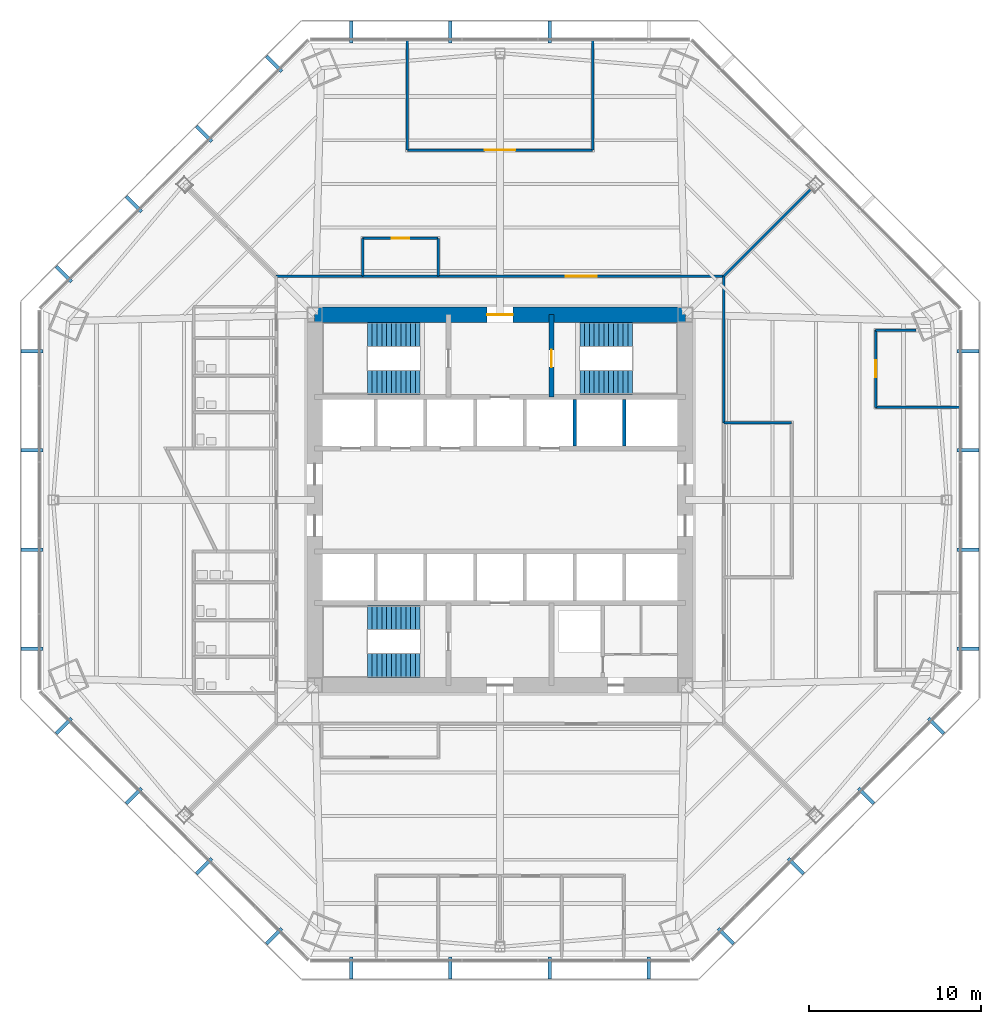
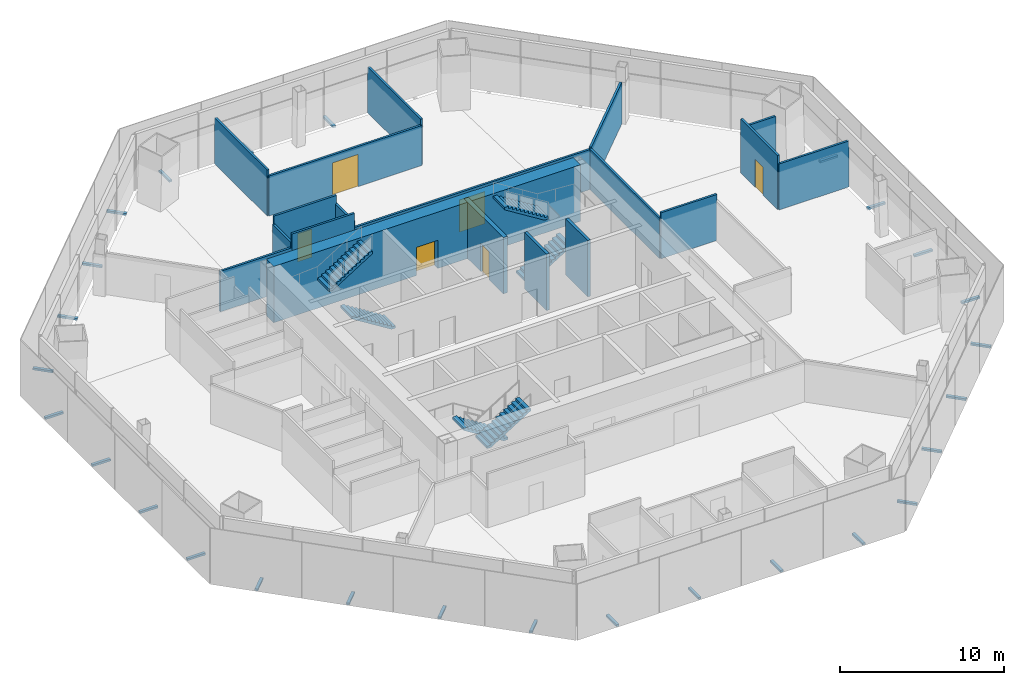
# One storey, part 10 of 14: 27 discrete accessories, 19 walls, 6 doors, 6 stair flights, 6 openings, 3 elements without a shape of their own.
"""IFC4 building model written with IfcOpenShell, lengths in metres."""

import ifcopenshell
import ifcopenshell.guid

model = None  # the IFC model being written
_history = None  # IfcOwnerHistory: only IFC2X3 demands one
_inside = {}  # id of a spatial element -> (the spatial element, [elements in it])
_under = {}  # id of a project, library or spatial element -> (it, [spatial elements below it])
_declared = {}  # id of a project -> (the project, [libraries it declares])
_typed = {}  # id of a type object -> (the type object, [elements of that type])
_made_of = {}  # id of a material, layer set ... -> (it, [elements and type objects made of it])


def new_model(schema):
    """Start an empty IFC model of exactly this schema.

    Asked for "IFC4X3", IfcOpenShell would pick the latest addendum, in which some entities
    have other attributes; the version numbers below select the first issue.
    IFC2X3 requires an IfcOwnerHistory on every rooted entity: one is made here for all.
    """
    global model, _history
    if schema == "IFC4X3":
        model = ifcopenshell.file(schema_version=(4, 3, 0, 0))
    else:
        model = ifcopenshell.file(schema=schema)
    _inside.clear()
    _under.clear()
    _declared.clear()
    _typed.clear()
    _made_of.clear()
    _history = None
    if model.schema == "IFC2X3":
        org = make("IfcOrganization", Name="unknown")
        user = make(
            "IfcPersonAndOrganization",
            ThePerson=make("IfcPerson", FamilyName="unknown"),
            TheOrganization=org,
        )
        app = make(
            "IfcApplication",
            ApplicationDeveloper=org,
            Version="unknown",
            ApplicationFullName="unknown",
            ApplicationIdentifier="unknown",
        )
        _history = make(
            "IfcOwnerHistory",
            OwningUser=user,
            OwningApplication=app,
            ChangeAction="ADDED",
            CreationDate=0,
        )
    return model


def make(cls, **values):
    """One entity of the class cls with the attributes given. An attribute that is None is left unset."""
    return model.create_entity(
        cls, **{name: value for name, value in values.items() if value is not None}
    )


def rooted(cls, **values):
    """An entity with a GlobalId (a new one), such as an element, a storey or a relation."""
    return make(cls, GlobalId=ifcopenshell.guid.new(), OwnerHistory=_history, **values)


def si_unit(unit_type, name, prefix=None):
    """IfcSIUnit, for example si_unit("LENGTHUNIT", "METRE", prefix="MILLI")."""
    return make("IfcSIUnit", UnitType=unit_type, Prefix=prefix, Name=name)


def assignment(units):
    """IfcUnitAssignment: the units of a project."""
    return None if units is None else make("IfcUnitAssignment", Units=units)


def point(xyz):
    """IfcCartesianPoint."""
    return None if xyz is None else make("IfcCartesianPoint", Coordinates=xyz)


def direction(xyz):
    """IfcDirection."""
    return None if xyz is None else make("IfcDirection", DirectionRatios=xyz)


def frame(location, z_axis=None, x_axis=None):
    """IfcAxis2Placement3D, a coordinate frame: its origin and axes. An axis left out is left unset."""
    return make(
        "IfcAxis2Placement3D",
        Location=point(location),
        Axis=direction(z_axis),
        RefDirection=direction(x_axis),
    )


def frame_2d(location, x_axis=None):
    """IfcAxis2Placement2D, a coordinate frame in the plane: its origin and x axis."""
    return make(
        "IfcAxis2Placement2D", Location=point(location), RefDirection=direction(x_axis)
    )


def origin():
    """The frame at (0, 0, 0) with its axes left unset."""
    return frame((0.0, 0.0, 0.0))


def origin_2d():
    """The frame at (0, 0) in the plane with its x axis left unset."""
    return frame_2d((0.0, 0.0))


def place(relative_to, where):
    """IfcLocalPlacement: puts the frame where relative to a parent placement (None: the world)."""
    return make(
        "IfcLocalPlacement", PlacementRelTo=relative_to, RelativePlacement=where
    )


def context(
    kind, dimensions, precision=None, world=None, true_north=None, identifier=None
):
    """IfcGeometricRepresentationContext, for example the 3D "Model" context."""
    return make(
        "IfcGeometricRepresentationContext",
        ContextIdentifier=identifier,
        ContextType=kind,
        CoordinateSpaceDimension=dimensions,
        Precision=precision,
        WorldCoordinateSystem=world,
        TrueNorth=true_north,
    )


def subcontext(parent, identifier, kind, view, scale=None):
    """IfcGeometricRepresentationSubContext, for example "Body" below "Model"."""
    return make(
        "IfcGeometricRepresentationSubContext",
        ContextIdentifier=identifier,
        ContextType=kind,
        ParentContext=parent,
        TargetScale=scale,
        TargetView=view,
    )


def project(units=None, contexts=None):
    """IfcProject with its units and contexts."""
    return rooted(
        "IfcProject",
        Name="project",
        RepresentationContexts=contexts,
        UnitsInContext=assignment(units),
    )


def spatial(cls, under=None, at=None, **own):
    """A site, building, storey or space (cls), placed at a placement, below another one or the project."""
    s = rooted(cls, ObjectPlacement=at, **own)
    if under is not None:
        _under.setdefault(under.id(), (under, []))[1].append(s)
    return s


def polyline(points):
    """IfcPolyline through the points."""
    return make("IfcPolyline", Points=[point(p) for p in points])


def profile(cls, at=None, kind="AREA", **sizes):
    """A parametric profile (cls). Its sizes go by their IFC names, for example OverallWidth=200.0."""
    return make(cls, ProfileType=kind, Position=at, **sizes)


def rectangle(**sizes):
    """IfcRectangleProfileDef."""
    return profile("IfcRectangleProfileDef", **sizes)


def outline(outer, holes=None, kind="AREA"):
    """IfcArbitraryClosedProfileDef: a profile drawn as a closed curve; with holes, ...WithVoids."""
    if holes is None:
        return make("IfcArbitraryClosedProfileDef", ProfileType=kind, OuterCurve=outer)
    return make(
        "IfcArbitraryProfileDefWithVoids",
        ProfileType=kind,
        OuterCurve=outer,
        InnerCurves=holes,
    )


def extrude(swept, where, along, depth):
    """IfcExtrudedAreaSolid: the profile swept, set in the frame where, extruded along a direction by depth."""
    return make(
        "IfcExtrudedAreaSolid",
        SweptArea=swept,
        Position=where,
        ExtrudedDirection=direction(along),
        Depth=depth,
    )


def shape(context_of_items, identifier, shape_type, items):
    """IfcShapeRepresentation: the items that make up one representation, for example the "Body"."""
    return make(
        "IfcShapeRepresentation",
        ContextOfItems=context_of_items,
        RepresentationIdentifier=identifier,
        RepresentationType=shape_type,
        Items=items,
    )


def source(mapping_origin, context_of_items, identifier, shape_type, items):
    """IfcRepresentationMap: a shape defined once, which mapped items show again and again."""
    return make(
        "IfcRepresentationMap",
        MappingOrigin=mapping_origin,
        MappedRepresentation=shape(context_of_items, identifier, shape_type, items),
    )


def transform(
    local_origin,
    x_axis=None,
    y_axis=None,
    z_axis=None,
    scale=None,
    scale2=None,
    scale3=None,
    uniform=True,
):
    """IfcCartesianTransformationOperator3D, or its non-uniform kind. x_axis, y_axis, z_axis: its Axis1, 2, 3."""
    if uniform:
        return make(
            "IfcCartesianTransformationOperator3D",
            Axis1=direction(x_axis),
            Axis2=direction(y_axis),
            LocalOrigin=point(local_origin),
            Scale=scale,
            Axis3=direction(z_axis),
        )
    return make(
        "IfcCartesianTransformationOperator3DnonUniform",
        Axis1=direction(x_axis),
        Axis2=direction(y_axis),
        LocalOrigin=point(local_origin),
        Scale=scale,
        Axis3=direction(z_axis),
        Scale2=scale2,
        Scale3=scale3,
    )


def mapped(mapping_source, mapping_target):
    """IfcMappedItem: shows the shape of a source again, moved by a transform."""
    return make(
        "IfcMappedItem", MappingSource=mapping_source, MappingTarget=mapping_target
    )


def material(Name=None, Category=None):
    """IfcMaterial."""
    return make("IfcMaterial", Name=Name, Category=Category)


def layer(
    of_material, thickness, ventilated=None, Name=None, Category=None, Priority=None
):
    """IfcMaterialLayer: one layer of a wall or slab, of a material (None: an air gap)."""
    return make(
        "IfcMaterialLayer",
        Material=of_material,
        LayerThickness=thickness,
        IsVentilated=ventilated,
        Name=Name,
        Category=Category,
        Priority=Priority,
    )


def layer_set(layers, Name=None):
    """IfcMaterialLayerSet."""
    return make("IfcMaterialLayerSet", MaterialLayers=layers, LayerSetName=Name)


def made_of(thing, what):
    """Note that an element or type object is made of a material, layer set ...; save() writes the relation."""
    if what is not None:
        _made_of.setdefault(what.id(), (what, []))[1].append(thing)
    return thing


def type_object(cls, material=None, **own):
    """A type object (cls), such as IfcWallType, which elements share."""
    return made_of(rooted(cls, **own), material)


def type_shapes(of_type, sources):
    """Give a type object the sources (RepresentationMaps) that its elements show as mapped items."""
    of_type.RepresentationMaps = sources


def element(
    cls,
    number,
    at=None,
    inside=None,
    cuts=None,
    type_object=None,
    material=None,
    context=None,
    identifier="Body",
    shape_type=None,
    held_by="IfcProductDefinitionShape",
    body=None,
    shapes=None,
    **own,
):
    """One element of the class cls, such as IfcWall. Its Tag is "e" and its number.

    at: its placement. inside: the storey or other place that contains it. cuts: it is an
    opening in that element (IfcRelVoidsElement). A single representation is given by context,
    identifier, shape_type and body (its items); several are given by shapes. held_by: the class
    of the entity that holds the representations. save() writes the other relations.
    """
    e = rooted(cls, Tag="e%d" % number, ObjectPlacement=at, **own)
    if body is not None:
        shapes = [shape(context, identifier, shape_type, body)]
    if shapes is not None:
        e.Representation = make(held_by, Representations=shapes)
    if inside is not None:
        _inside.setdefault(inside.id(), (inside, []))[1].append(e)
    if cuts is not None:
        rooted(
            "IfcRelVoidsElement", RelatingBuildingElement=cuts, RelatedOpeningElement=e
        )
    if type_object is not None:
        _typed.setdefault(type_object.id(), (type_object, []))[1].append(e)
    return made_of(e, material)


def fill(opening, filler):
    """IfcRelFillsElement: the door or window that sits in an opening."""
    return rooted(
        "IfcRelFillsElement",
        RelatingOpeningElement=opening,
        RelatedBuildingElement=filler,
    )


def aggregate(whole, parts):
    """IfcRelAggregates: a whole, such as a stair, and the parts it consists of."""
    return rooted("IfcRelAggregates", RelatingObject=whole, RelatedObjects=parts)


def save(model, path):
    """Write the relations noted so far, then the file.

    IfcRelAggregates (storeys below a building ...), IfcRelContainedInSpatialStructure (elements
    in a storey), IfcRelDefinesByType, IfcRelAssociatesMaterial and IfcRelDeclares: one each for
    every whole, place, type object, material and project.
    """
    for whole, parts in _under.values():
        aggregate(whole, parts)
    for where, things in _inside.values():
        rooted(
            "IfcRelContainedInSpatialStructure",
            RelatedElements=things,
            RelatingStructure=where,
        )
    for kind, things in _typed.values():
        rooted("IfcRelDefinesByType", RelatedObjects=things, RelatingType=kind)
    for what, things in _made_of.values():
        rooted("IfcRelAssociatesMaterial", RelatedObjects=things, RelatingMaterial=what)
    for by, libraries in _declared.values():
        rooted("IfcRelDeclares", RelatingContext=by, RelatedDefinitions=libraries)
    model.write(path)


model = new_model("IFC4")

# Units and contexts
model_context = context("Model", 3, precision=1e-05, world=origin(), true_north=direction((0.0, 1.0)))
body_context = subcontext(model_context, "Body", "Model", "MODEL_VIEW")
ifc_project = project(units=[si_unit("LENGTHUNIT", "METRE"), si_unit("AREAUNIT", "SQUARE_METRE"), si_unit("VOLUMEUNIT", "CUBIC_METRE"), si_unit("PLANEANGLEUNIT", "RADIAN"), si_unit("MASSUNIT", "GRAM", prefix="KILO")], contexts=[model_context])

# Site, building, storey
site_placement = place(None, origin())
site = spatial("IfcSite", under=ifc_project, at=site_placement, CompositionType="ELEMENT")
building_placement = place(site_placement, origin())
building = spatial("IfcBuilding", under=site, at=building_placement, Name="Mashrafa Tower", CompositionType="ELEMENT")
storey_placement = place(building_placement, frame((0.0, 0.0, 41.39990234375)))
storey = spatial("IfcBuildingStorey", under=building, at=storey_placement, Name="L08", CompositionType="ELEMENT", Elevation=41.39990234375)

# Wall, opening, door
ifc_material_1 = material(Name="Concrete C60/75", Category="concrete")
ifc_layer_1 = layer(ifc_material_1, 0.300048828125)
ifc_layer_set_1 = layer_set([ifc_layer_1], Name="Core wall 300 C60/75")
wall_type_1 = type_object("IfcWallType", Name="Core wall 300 C60/75", PredefinedType="SOLIDWALL", material=ifc_layer_set_1)
wall_1_placement = place(storey_placement, frame((3.0, 6.0, 0.0), z_axis=(0.0, 0.0, 1.0), x_axis=(0.0, 1.0, 0.0)))
wall_1 = element("IfcWall", 1, at=wall_1_placement, inside=storey, type_object=wall_type_1, Name="Core wall CX-NE L08", PredefinedType="SOLIDWALL", context=body_context, shape_type="SweptSolid", body=[
    extrude(rectangle(XDim=4.800048828125, YDim=0.300048828125, at=frame_2d((2.39990234375, 0.0))), origin(), (0.0, 0.0, 1.0), 4.2001953125),
])
opening_1_placement = place(wall_1_placement, frame((1.75, 0.0, 0.0)))
opening_1 = element("IfcOpeningElement", 2, at=opening_1_placement, cuts=wall_1, Name="Opening 08.031", PredefinedType="OPENING", context=body_context, shape_type="SweptSolid", body=[
    extrude(rectangle(XDim=1.0, YDim=2.10009765625, at=frame_2d((0.5, 1.050048828125))), frame((0.0, 0.159912109375, 0.0), z_axis=(0.0, -1.0, 0.0), x_axis=(1.0, 0.0, 0.0)), (0.0, 0.0, 1.0), 0.320068359375),
])
ifc_material_2 = material(Name="Steel door", Category="steel")
door_type_1 = type_object("IfcDoorType", Name="Stair door 1000 x 2100 90 min", OperationType="USERDEFINED", PredefinedType="DOOR", material=ifc_material_2)
door_1_placement = place(opening_1_placement, frame((1.0, 0.0, 0.0), z_axis=(0.0, 0.0, 1.0), x_axis=(-1.0, 0.0, 0.0)))
door_1 = element("IfcDoor", 3, at=door_1_placement, inside=storey, type_object=door_type_1, Name="Stair S2 door L08", OperationType="SINGLE_SWING_RIGHT", OverallHeight=2.10009765625, OverallWidth=1.0, PredefinedType="DOOR", context=body_context, shape_type="SweptSolid", body=[
    extrude(rectangle(XDim=1.0, YDim=2.10009765625, at=frame_2d((0.5, 1.050048828125))), frame((0.0, 0.02490234375, 0.0), z_axis=(0.0, -1.0, 0.0), x_axis=(1.0, 0.0, 0.0)), (0.0, 0.0, 1.0), 0.050048828125),
])
fill(opening_1, door_1)

ifc_material_3 = material(Name="Concrete C60/75", Category="concrete")
ifc_layer_2 = layer(ifc_material_3, 0.89990234375)
ifc_layer_set_2 = layer_set([ifc_layer_2], Name="Core wall 900 C60/75")
wall_type_2 = type_object("IfcWallType", Name="Core wall 900 C60/75", PredefinedType="SOLIDWALL", material=ifc_layer_set_2)
wall_2_placement = place(storey_placement, frame((10.800048828125, 10.800048828125, 0.0), z_axis=(0.0, 0.0, 1.0), x_axis=(-1.0, 0.0, 0.0)))
wall_2 = element("IfcWall", 4, at=wall_2_placement, inside=storey, type_object=wall_type_2, Name="Core wall CW-N L08", PredefinedType="SOLIDWALL", context=body_context, shape_type="SweptSolid", body=[
    extrude(rectangle(XDim=21.60009765625, YDim=0.89990234375, at=frame_2d((10.800048828125, 0.0))), origin(), (0.0, 0.0, 1.0), 4.2001953125),
])
opening_2_placement = place(wall_2_placement, frame((10.050048828125, 0.0, 0.0)))
opening_2 = element("IfcOpeningElement", 5, at=opening_2_placement, cuts=wall_2, Name="Opening 08.028", PredefinedType="OPENING", context=body_context, shape_type="SweptSolid", body=[
    extrude(rectangle(XDim=1.5, YDim=2.10009765625, at=frame_2d((0.75, 1.050048828125))), frame((0.0, 0.4599609375, 0.0), z_axis=(0.0, -1.0, 0.0), x_axis=(1.0, 0.0, 0.0)), (0.0, 0.0, 1.0), 0.919921875),
])
ifc_material_4 = material(Name="Steel door", Category="steel")
door_type_2 = type_object("IfcDoorType", Name="Lobby door pair 1500 x 2100 90 min", OperationType="DOUBLE_DOOR_SINGLE_SWING", PredefinedType="DOOR", material=ifc_material_4)
door_2_placement = place(opening_2_placement, origin())
door_2 = element("IfcDoor", 6, at=door_2_placement, inside=storey, type_object=door_type_2, Name="Fire-fighting lobby F1 door L08", OperationType="DOUBLE_DOOR_SINGLE_SWING", OverallHeight=2.10009765625, OverallWidth=1.5, PredefinedType="DOOR", context=body_context, shape_type="SweptSolid", body=[
    extrude(rectangle(XDim=1.5, YDim=2.10009765625, at=frame_2d((0.75, 1.050048828125))), frame((0.0, 0.02490234375, 0.0), z_axis=(0.0, -1.0, 0.0), x_axis=(1.0, 0.0, 0.0)), (0.0, 0.0, 1.0), 0.050048828125),
])
fill(opening_2, door_2)

# Walls
ifc_material_5 = material(Name="Gypsum board on steel studs", Category="steel")
ifc_layer_3 = layer(ifc_material_5, 0.14990234375)
ifc_layer_set_3 = layer_set([ifc_layer_3], Name="Corridor partition 150 1 hr")
wall_type_3 = type_object("IfcWallType", Name="Corridor partition 150 1 hr", PredefinedType="PARTITIONING", material=ifc_layer_set_3)
wall_3_placement = place(storey_placement, frame((-3.59912109375, 13.050048828125, 0.0), z_axis=(0.0, 0.0, 1.0), x_axis=(-1.0, 0.0, 0.0)))
element("IfcWall", 7, at=wall_3_placement, inside=storey, type_object=wall_type_3, Name="Corridor wall L08-011", PredefinedType="PARTITIONING", context=body_context, shape_type="SweptSolid", body=[
    extrude(rectangle(XDim=4.40185546875, YDim=0.14990234375, at=frame_2d((2.200927734375, 0.0))), origin(), (0.0, 0.0, 1.0), 4.03515625),
])
wall_4_placement = place(storey_placement, frame((-7.9990234375, 13.050048828125, 0.0), z_axis=(0.0, 0.0, 1.0), x_axis=(-1.0, 0.0, 0.0)))
element("IfcWall", 8, at=wall_4_placement, inside=storey, type_object=wall_type_3, Name="Corridor wall L08-013", PredefinedType="PARTITIONING", context=body_context, shape_type="SweptSolid", body=[
    extrude(rectangle(XDim=5.051025390625, YDim=0.14990234375, at=frame_2d((2.525390625, 0.0))), origin(), (0.0, 0.0, 1.0), 3.01416015625),
])

# Wall, opening, door
wall_5_placement = place(storey_placement, frame((13.050048828125, 13.050048828125, 0.0), z_axis=(0.0, 0.0, 1.0), x_axis=(-1.0, 0.0, 0.0)))
wall_5 = element("IfcWall", 9, at=wall_5_placement, inside=storey, type_object=wall_type_3, Name="Corridor wall L08-014", PredefinedType="PARTITIONING", context=body_context, shape_type="SweptSolid", body=[
    extrude(rectangle(XDim=16.651123046875, YDim=0.14990234375, at=frame_2d((8.32568359375, 0.0))), origin(), (0.0, 0.0, 1.0), 2.983642578125),
])
opening_3_placement = place(wall_5_placement, frame((7.425537109375, 0.0, 0.0)))
opening_3 = element("IfcOpeningElement", 10, at=opening_3_placement, cuts=wall_5, Name="Opening 08.020", PredefinedType="OPENING", context=body_context, shape_type="SweptSolid", body=[
    extrude(rectangle(XDim=1.800048828125, YDim=2.39990234375, at=frame_2d((0.89990234375, 1.199951171875))), frame((0.0, 0.0849609375, 0.0), z_axis=(0.0, -1.0, 0.0), x_axis=(1.0, 0.0, 0.0)), (0.0, 0.0, 1.0), 0.169921875),
])
ifc_material_6 = material(Name="Timber door", Category="wood")
door_type_3 = type_object("IfcDoorType", Name="Door pair 1800 x 2400", OperationType="DOUBLE_DOOR_SINGLE_SWING", PredefinedType="DOOR", material=ifc_material_6)
door_3_placement = place(opening_3_placement, frame((1.800048828125, 0.0, 0.0), z_axis=(0.0, 0.0, 1.0), x_axis=(-1.0, 0.0, 0.0)))
door_3 = element("IfcDoor", 11, at=door_3_placement, inside=storey, type_object=door_type_3, Name="Corporate Banking Office 08 door", OperationType="DOUBLE_DOOR_SINGLE_SWING", OverallHeight=2.39990234375, OverallWidth=1.800048828125, PredefinedType="DOOR", context=body_context, shape_type="SweptSolid", body=[
    extrude(rectangle(XDim=1.800048828125, YDim=2.39990234375, at=frame_2d((0.89990234375, 1.199951171875))), frame((0.0, 0.02490234375, 0.0), z_axis=(0.0, -1.0, 0.0), x_axis=(1.0, 0.0, 0.0)), (0.0, 0.0, 1.0), 0.050048828125),
])
fill(opening_3, door_3)

# Walls
wall_6_placement = place(storey_placement, frame((13.050048828125, 4.4990234375, 0.0), z_axis=(0.0, 0.0, 1.0), x_axis=(0.0, 1.0, 0.0)))
element("IfcWall", 12, at=wall_6_placement, inside=storey, type_object=wall_type_3, Name="Corridor wall L08-016", PredefinedType="PARTITIONING", context=body_context, shape_type="SweptSolid", body=[
    extrude(rectangle(XDim=8.551025390625, YDim=0.14990234375, at=frame_2d((4.275390625, 0.0))), origin(), (0.0, 0.0, 1.0), 3.01416015625),
])
wall_7_placement = place(storey_placement, frame((17.0, 4.5, 0.0), z_axis=(0.0, 0.0, 1.0), x_axis=(-1.0, 0.0, 0.0)))
element("IfcWall", 13, at=wall_7_placement, inside=storey, type_object=wall_type_3, Name="Corridor wall L08-044", PredefinedType="PARTITIONING", context=body_context, shape_type="SweptSolid", body=[
    extrude(rectangle(XDim=3.949951171875, YDim=0.14990234375, at=frame_2d((1.97509765625, 0.0))), origin(), (0.0, 0.0, 1.0), 3.42578125),
])
ifc_material_7 = material(Name="Gypsum board on steel studs", Category="steel")
ifc_layer_4 = layer(ifc_material_7, 0.14990234375)
ifc_layer_set_4 = layer_set([ifc_layer_4], Name="Partition 150")
wall_type_4 = type_object("IfcWallType", Name="Partition 150", PredefinedType="PARTITIONING", material=ifc_layer_set_4)
wall_8_placement = place(storey_placement, frame((-5.39990234375, 26.82568359375, 0.0), z_axis=(0.0, 0.0, 1.0), x_axis=(0.0, -1.0, 0.0)))
element("IfcWall", 14, at=wall_8_placement, inside=storey, type_object=wall_type_4, Name="Partition wall L08-045", PredefinedType="PARTITIONING", context=body_context, shape_type="SweptSolid", body=[
    extrude(rectangle(XDim=6.43212890625, YDim=0.14990234375, at=frame_2d((3.216064453125, 0.0))), origin(), (0.0, 0.0, 1.0), 3.423095703125),
])

# Wall, opening, door
wall_9_placement = place(storey_placement, frame((-5.39990234375, 20.3935546875, 0.0), z_axis=(0.0, 0.0, 1.0), x_axis=(1.0, 0.0, 0.0)))
wall_9 = element("IfcWall", 15, at=wall_9_placement, inside=storey, type_object=wall_type_4, Name="Partition wall L08-046", PredefinedType="PARTITIONING", context=body_context, shape_type="SweptSolid", body=[
    extrude(rectangle(XDim=10.7998046875, YDim=0.14990234375, at=frame_2d((5.39990234375, 0.0))), origin(), (0.0, 0.0, 1.0), 2.983642578125),
])
opening_4_placement = place(wall_9_placement, frame((4.5, 0.0, 0.0)))
opening_4 = element("IfcOpeningElement", 16, at=opening_4_placement, cuts=wall_9, Name="Opening 08.011", PredefinedType="OPENING", context=body_context, shape_type="SweptSolid", body=[
    extrude(rectangle(XDim=1.800048828125, YDim=2.39990234375, at=frame_2d((0.89990234375, 1.199951171875))), frame((0.0, 0.0849609375, 0.0), z_axis=(0.0, -1.0, 0.0), x_axis=(1.0, 0.0, 0.0)), (0.0, 0.0, 1.0), 0.169921875),
])
door_4_placement = place(opening_4_placement, origin())
door_4 = element("IfcDoor", 17, at=door_4_placement, inside=storey, type_object=door_type_3, Name="Board Room 08 door", OperationType="DOUBLE_DOOR_SINGLE_SWING", OverallHeight=2.39990234375, OverallWidth=1.800048828125, PredefinedType="DOOR", context=body_context, shape_type="SweptSolid", body=[
    extrude(rectangle(XDim=1.800048828125, YDim=2.39990234375, at=frame_2d((0.89990234375, 1.199951171875))), frame((0.0, 0.02490234375, 0.0), z_axis=(0.0, -1.0, 0.0), x_axis=(1.0, 0.0, 0.0)), (0.0, 0.0, 1.0), 0.050048828125),
])
fill(opening_4, door_4)

# Walls
wall_10_placement = place(storey_placement, frame((5.39990234375, 20.3935546875, 0.0), z_axis=(0.0, 0.0, 1.0), x_axis=(0.0, 1.0, 0.0)))
element("IfcWall", 18, at=wall_10_placement, inside=storey, type_object=wall_type_4, Name="Partition wall L08-047", PredefinedType="PARTITIONING", context=body_context, shape_type="SweptSolid", body=[
    extrude(rectangle(XDim=6.43212890625, YDim=0.14990234375, at=frame_2d((3.216064453125, 0.0))), origin(), (0.0, 0.0, 1.0), 3.423095703125),
])
wall_11_placement = place(storey_placement, frame((-3.60009765625, 13.050048828125, 0.0), z_axis=(0.0, 0.0, 1.0), x_axis=(0.0, 1.0, 0.0)))
element("IfcWall", 19, at=wall_11_placement, inside=storey, type_object=wall_type_4, Name="Partition wall L08-048", PredefinedType="PARTITIONING", context=body_context, shape_type="SweptSolid", body=[
    extrude(rectangle(XDim=2.199951171875, YDim=0.14990234375, at=frame_2d((1.10009765625, 0.0))), origin(), (0.0, 0.0, 1.0), 3.42578125),
])

# Wall, opening, door
wall_12_placement = place(storey_placement, frame((-3.60009765625, 15.25, 0.0), z_axis=(0.0, 0.0, 1.0), x_axis=(-1.0, 0.0, 0.0)))
wall_12 = element("IfcWall", 20, at=wall_12_placement, inside=storey, type_object=wall_type_4, Name="Partition wall L08-049", PredefinedType="PARTITIONING", context=body_context, shape_type="SweptSolid", body=[
    extrude(rectangle(XDim=4.39990234375, YDim=0.14990234375, at=frame_2d((2.199951171875, 0.0))), origin(), (0.0, 0.0, 1.0), 4.03515625),
])
opening_5_placement = place(wall_12_placement, frame((1.699951171875, 0.0, 0.0)))
opening_5 = element("IfcOpeningElement", 21, at=opening_5_placement, cuts=wall_12, Name="Opening 08.012", PredefinedType="OPENING", context=body_context, shape_type="SweptSolid", body=[
    extrude(rectangle(XDim=1.0, YDim=2.10009765625, at=frame_2d((0.5, 1.050048828125))), frame((0.0, 0.0849609375, 0.0), z_axis=(0.0, -1.0, 0.0), x_axis=(1.0, 0.0, 0.0)), (0.0, 0.0, 1.0), 0.169921875),
])
ifc_material_8 = material(Name="Timber door", Category="wood")
door_type_4 = type_object("IfcDoorType", Name="Door 1000 x 2100", OperationType="USERDEFINED", PredefinedType="DOOR", material=ifc_material_8)
door_5_placement = place(opening_5_placement, origin())
door_5 = element("IfcDoor", 22, at=door_5_placement, inside=storey, type_object=door_type_4, Name="Pantry 08 door", OperationType="SINGLE_SWING_LEFT", OverallHeight=2.10009765625, OverallWidth=1.0, PredefinedType="DOOR", context=body_context, shape_type="SweptSolid", body=[
    extrude(rectangle(XDim=1.0, YDim=2.10009765625, at=frame_2d((0.5, 1.050048828125))), frame((0.0, 0.02490234375, 0.0), z_axis=(0.0, -1.0, 0.0), x_axis=(1.0, 0.0, 0.0)), (0.0, 0.0, 1.0), 0.050048828125),
])
fill(opening_5, door_5)

# Walls
wall_13_placement = place(storey_placement, frame((-8.0, 15.25, 0.0), z_axis=(0.0, 0.0, 1.0), x_axis=(0.0, -1.0, 0.0)))
element("IfcWall", 23, at=wall_13_placement, inside=storey, type_object=wall_type_4, Name="Partition wall L08-050", PredefinedType="PARTITIONING", context=body_context, shape_type="SweptSolid", body=[
    extrude(rectangle(XDim=2.199951171875, YDim=0.14990234375, at=frame_2d((1.10009765625, 0.0))), origin(), (0.0, 0.0, 1.0), 3.42578125),
])
wall_14_placement = place(storey_placement, frame((24.248046875, 9.89990234375, 0.0), z_axis=(0.0, 0.0, 1.0), x_axis=(-1.0, 0.0, 0.0)))
element("IfcWall", 24, at=wall_14_placement, inside=storey, type_object=wall_type_4, Name="Partition wall L08-063", PredefinedType="PARTITIONING", context=body_context, shape_type="SweptSolid", body=[
    extrude(rectangle(XDim=2.3544921875, YDim=0.14990234375, at=frame_2d((1.17724609375, 0.0))), origin(), (0.0, 0.0, 1.0), 3.423095703125),
])

# Wall, opening, door
wall_15_placement = place(storey_placement, frame((21.8935546875, 9.89990234375, 0.0), z_axis=(0.0, 0.0, 1.0), x_axis=(0.0, -1.0, 0.0)))
wall_15 = element("IfcWall", 25, at=wall_15_placement, inside=storey, type_object=wall_type_4, Name="Partition wall L08-064", PredefinedType="PARTITIONING", context=body_context, shape_type="SweptSolid", body=[
    extrude(rectangle(XDim=4.5, YDim=0.14990234375, at=frame_2d((2.25, 0.0))), origin(), (0.0, 0.0, 1.0), 4.03515625),
])
opening_6_placement = place(wall_15_placement, frame((1.75, 0.0, 0.0)))
opening_6 = element("IfcOpeningElement", 26, at=opening_6_placement, cuts=wall_15, Name="Opening 08.018", PredefinedType="OPENING", context=body_context, shape_type="SweptSolid", body=[
    extrude(rectangle(XDim=1.0, YDim=2.10009765625, at=frame_2d((0.5, 1.050048828125))), frame((0.0, 0.0849609375, 0.0), z_axis=(0.0, -1.0, 0.0), x_axis=(1.0, 0.0, 0.0)), (0.0, 0.0, 1.0), 0.169921875),
])
door_6_placement = place(opening_6_placement, origin())
door_6 = element("IfcDoor", 27, at=door_6_placement, inside=storey, type_object=door_type_4, Name="Meeting Room 08-1 door", OperationType="SINGLE_SWING_RIGHT", OverallHeight=2.10009765625, OverallWidth=1.0, PredefinedType="DOOR", context=body_context, shape_type="SweptSolid", body=[
    extrude(rectangle(XDim=1.0, YDim=2.10009765625, at=frame_2d((0.5, 1.050048828125))), frame((0.0, 0.02490234375, 0.0), z_axis=(0.0, -1.0, 0.0), x_axis=(1.0, 0.0, 0.0)), (0.0, 0.0, 1.0), 0.050048828125),
])
fill(opening_6, door_6)

# Walls
wall_16_placement = place(storey_placement, frame((21.8935546875, 5.39990234375, 0.0), z_axis=(0.0, 0.0, 1.0), x_axis=(1.0, 0.0, 0.0)))
element("IfcWall", 28, at=wall_16_placement, inside=storey, type_object=wall_type_4, Name="Partition wall L08-065", PredefinedType="PARTITIONING", context=body_context, shape_type="SweptSolid", body=[
    extrude(rectangle(XDim=4.93212890625, YDim=0.14990234375, at=frame_2d((2.466064453125, 0.0))), origin(), (0.0, 0.0, 1.0), 3.423095703125),
])
wall_17_placement = place(storey_placement, frame((13.050048828125, 13.050048828125, 0.0), z_axis=(0.0, 0.0, 1.0), x_axis=(0.707106781187, 0.707106781187, 0.0)))
element("IfcWall", 29, at=wall_17_placement, inside=storey, type_object=wall_type_4, Name="Partition wall L08-069", PredefinedType="PARTITIONING", context=body_context, shape_type="SweptSolid", body=[
    extrude(rectangle(XDim=7.150146484375, YDim=0.14990234375, at=frame_2d((3.5751953125, 0.0))), origin(), (0.0, 0.0, 1.0), 3.097900390625),
])
ifc_material_9 = material(Name="Gypsum shaft wall on steel studs", Category="steel")
ifc_layer_5 = layer(ifc_material_9, 0.199951171875)
ifc_layer_set_5 = layer_set([ifc_layer_5], Name="Shaft divider wall 200 2 hr")
wall_type_5 = type_object("IfcWallType", Name="Shaft divider wall 200 2 hr", PredefinedType="PARTITIONING", material=ifc_layer_set_5)
for number, where, z_axis, x_axis, name in (
    (30, (4.35009765625, 3.14990234375, 0.0), (0.0, 0.0, 1.0), (0.0, 1.0, 0.0), "Shaft divider wall N5 L08"),
    (31, (7.25, 3.14990234375, 0.0), (0.0, 0.0, 1.0), (0.0, 1.0, 0.0), "Shaft divider wall N6 L08"),
):
    element("IfcWall", number, at=place(storey_placement, frame(where, z_axis=z_axis, x_axis=x_axis)), inside=storey, type_object=wall_type_5, Name=name, PredefinedType="PARTITIONING", context=body_context, shape_type="SweptSolid", body=[
        extrude(rectangle(XDim=2.7001953125, YDim=0.199951171875, at=frame_2d((1.35009765625, 0.0))), origin(), (0.0, 0.0, 1.0), 4.2001953125),
    ])

# Stair, stair flights
ifc_material_10 = material(Name="Exit stair 1400")
stair_type = type_object("IfcStairType", Name="Exit stair 1400", PredefinedType="HALF_TURN_STAIR", material=ifc_material_10)
stair_1_placement = place(storey_placement, origin())
stair_1 = element("IfcStair", 32, at=stair_1_placement, inside=storey, type_object=stair_type, Name="Stair S1 L08", PredefinedType="HALF_TURN_STAIR")
ifc_material_11 = material(Name="Concrete C32/40", Category="concrete")
stair_flight_type = type_object("IfcStairFlightType", Name="Stair flight 1400", PredefinedType="STRAIGHT", material=ifc_material_11)
stair_flight_1_placement = place(storey_placement, frame((-4.64990234375, 6.85009765625, 0.0), z_axis=(0.0, 0.0, 1.0), x_axis=(-1.0, 0.0, 0.0)))
stair_flight_1 = element("IfcStairFlight", 33, at=stair_flight_1_placement, type_object=stair_flight_type, Name="S1 flight 1", NumberOfRisers=12, NumberOfTreads=11, PredefinedType="STRAIGHT", RiserHeight=0.175, TreadLength=0.28, context=body_context, shape_type="SweptSolid", body=[
    extrude(outline(polyline([(0.0, 0.0), (0.0, 0.175048828125), (0.280029296875, 0.175048828125), (0.280029296875, 0.35009765625), (0.56005859375, 0.35009765625), (0.56005859375, 0.52490234375), (0.840087890625, 0.52490234375), (0.840087890625, 0.699951171875), (1.1201171875, 0.699951171875), (1.1201171875, 0.875), (1.39990234375, 0.875), (1.39990234375, 1.050048828125), (1.679931640625, 1.050048828125), (1.679931640625, 1.22509765625), (1.9599609375, 1.22509765625), (1.9599609375, 1.39990234375), (2.239990234375, 1.39990234375), (2.239990234375, 1.574951171875), (2.52001953125, 1.574951171875), (2.52001953125, 1.75), (2.800048828125, 1.75), (2.800048828125, 1.925048828125), (3.080078125, 1.925048828125), (3.080078125, 2.10009765625), (3.080078125, 1.748291015625), (0.28271484375, 0.0), (0.0, 0.0)])), frame((0.0, 0.699951171875, 0.0), z_axis=(0.0, -1.0, 0.0), x_axis=(1.0, 0.0, 0.0)), (0.0, 0.0, 1.0), 1.39990234375),
])
stair_flight_2_placement = place(storey_placement, frame((-7.72998046875, 9.64990234375, 2.10009765625), z_axis=(0.0, 0.0, 1.0), x_axis=(1.0, 0.0, 0.0)))
stair_flight_2 = element("IfcStairFlight", 34, at=stair_flight_2_placement, type_object=stair_flight_type, Name="S1 flight 2", NumberOfRisers=12, NumberOfTreads=11, PredefinedType="STRAIGHT", RiserHeight=0.175, TreadLength=0.28, context=body_context, shape_type="SweptSolid", body=[
    extrude(outline(polyline([(0.0, 0.0), (0.0, 0.175048828125), (0.280029296875, 0.175048828125), (0.280029296875, 0.35009765625), (0.56005859375, 0.35009765625), (0.56005859375, 0.52490234375), (0.840087890625, 0.52490234375), (0.840087890625, 0.699951171875), (1.1201171875, 0.699951171875), (1.1201171875, 0.875), (1.39990234375, 0.875), (1.39990234375, 1.050048828125), (1.679931640625, 1.050048828125), (1.679931640625, 1.22509765625), (1.9599609375, 1.22509765625), (1.9599609375, 1.39990234375), (2.239990234375, 1.39990234375), (2.239990234375, 1.574951171875), (2.52001953125, 1.574951171875), (2.52001953125, 1.75), (2.800048828125, 1.75), (2.800048828125, 1.925048828125), (3.080078125, 1.925048828125), (3.080078125, 2.10009765625), (3.080078125, 1.748291015625), (0.28271484375, 0.0), (0.0, 0.0)])), frame((0.0, 0.699951171875, 0.0), z_axis=(0.0, -1.0, 0.0), x_axis=(1.0, 0.0, 0.0)), (0.0, 0.0, 1.0), 1.39990234375),
])
aggregate(stair_1, [stair_flight_1, stair_flight_2])

stair_2_placement = place(storey_placement, origin())
stair_2 = element("IfcStair", 35, at=stair_2_placement, inside=storey, type_object=stair_type, Name="Stair S2 L08", PredefinedType="HALF_TURN_STAIR")
stair_flight_3_placement = place(storey_placement, frame((4.64990234375, 6.85009765625, 0.0), z_axis=(0.0, 0.0, 1.0), x_axis=(1.0, 0.0, 0.0)))
stair_flight_3 = element("IfcStairFlight", 36, at=stair_flight_3_placement, type_object=stair_flight_type, Name="S2 flight 1", NumberOfRisers=12, NumberOfTreads=11, PredefinedType="STRAIGHT", RiserHeight=0.175, TreadLength=0.28, context=body_context, shape_type="SweptSolid", body=[
    extrude(outline(polyline([(0.0, 0.0), (0.0, 0.175048828125), (0.280029296875, 0.175048828125), (0.280029296875, 0.35009765625), (0.56005859375, 0.35009765625), (0.56005859375, 0.52490234375), (0.840087890625, 0.52490234375), (0.840087890625, 0.699951171875), (1.1201171875, 0.699951171875), (1.1201171875, 0.875), (1.39990234375, 0.875), (1.39990234375, 1.050048828125), (1.679931640625, 1.050048828125), (1.679931640625, 1.22509765625), (1.9599609375, 1.22509765625), (1.9599609375, 1.39990234375), (2.239990234375, 1.39990234375), (2.239990234375, 1.574951171875), (2.52001953125, 1.574951171875), (2.52001953125, 1.75), (2.800048828125, 1.75), (2.800048828125, 1.925048828125), (3.080078125, 1.925048828125), (3.080078125, 2.10009765625), (3.080078125, 1.748291015625), (0.28271484375, 0.0), (0.0, 0.0)])), frame((0.0, 0.699951171875, 0.0), z_axis=(0.0, -1.0, 0.0), x_axis=(1.0, 0.0, 0.0)), (0.0, 0.0, 1.0), 1.39990234375),
])
stair_flight_4_placement = place(storey_placement, frame((7.72998046875, 9.64990234375, 2.10009765625), z_axis=(0.0, 0.0, 1.0), x_axis=(-1.0, 0.0, 0.0)))
stair_flight_4 = element("IfcStairFlight", 37, at=stair_flight_4_placement, type_object=stair_flight_type, Name="S2 flight 2", NumberOfRisers=12, NumberOfTreads=11, PredefinedType="STRAIGHT", RiserHeight=0.175, TreadLength=0.28, context=body_context, shape_type="SweptSolid", body=[
    extrude(outline(polyline([(0.0, 0.0), (0.0, 0.175048828125), (0.280029296875, 0.175048828125), (0.280029296875, 0.35009765625), (0.56005859375, 0.35009765625), (0.56005859375, 0.52490234375), (0.840087890625, 0.52490234375), (0.840087890625, 0.699951171875), (1.1201171875, 0.699951171875), (1.1201171875, 0.875), (1.39990234375, 0.875), (1.39990234375, 1.050048828125), (1.679931640625, 1.050048828125), (1.679931640625, 1.22509765625), (1.9599609375, 1.22509765625), (1.9599609375, 1.39990234375), (2.239990234375, 1.39990234375), (2.239990234375, 1.574951171875), (2.52001953125, 1.574951171875), (2.52001953125, 1.75), (2.800048828125, 1.75), (2.800048828125, 1.925048828125), (3.080078125, 1.925048828125), (3.080078125, 2.10009765625), (3.080078125, 1.748291015625), (0.28271484375, 0.0), (0.0, 0.0)])), frame((0.0, 0.699951171875, 0.0), z_axis=(0.0, -1.0, 0.0), x_axis=(1.0, 0.0, 0.0)), (0.0, 0.0, 1.0), 1.39990234375),
])
aggregate(stair_2, [stair_flight_3, stair_flight_4])

stair_3_placement = place(storey_placement, origin())
stair_3 = element("IfcStair", 38, at=stair_3_placement, inside=storey, type_object=stair_type, Name="Stair S3 L08", PredefinedType="HALF_TURN_STAIR")
stair_flight_5_placement = place(storey_placement, frame((-4.64990234375, -6.85009765625, 0.0), z_axis=(0.0, 0.0, 1.0), x_axis=(-1.0, 0.0, 0.0)))
stair_flight_5 = element("IfcStairFlight", 39, at=stair_flight_5_placement, type_object=stair_flight_type, Name="S3 flight 1", NumberOfRisers=12, NumberOfTreads=11, PredefinedType="STRAIGHT", RiserHeight=0.175, TreadLength=0.28, context=body_context, shape_type="SweptSolid", body=[
    extrude(outline(polyline([(0.0, 0.0), (0.0, 0.175048828125), (0.280029296875, 0.175048828125), (0.280029296875, 0.35009765625), (0.56005859375, 0.35009765625), (0.56005859375, 0.52490234375), (0.840087890625, 0.52490234375), (0.840087890625, 0.699951171875), (1.1201171875, 0.699951171875), (1.1201171875, 0.875), (1.39990234375, 0.875), (1.39990234375, 1.050048828125), (1.679931640625, 1.050048828125), (1.679931640625, 1.22509765625), (1.9599609375, 1.22509765625), (1.9599609375, 1.39990234375), (2.239990234375, 1.39990234375), (2.239990234375, 1.574951171875), (2.52001953125, 1.574951171875), (2.52001953125, 1.75), (2.800048828125, 1.75), (2.800048828125, 1.925048828125), (3.080078125, 1.925048828125), (3.080078125, 2.10009765625), (3.080078125, 1.748291015625), (0.28271484375, 0.0), (0.0, 0.0)])), frame((0.0, 0.699951171875, 0.0), z_axis=(0.0, -1.0, 0.0), x_axis=(1.0, 0.0, 0.0)), (0.0, 0.0, 1.0), 1.39990234375),
])
stair_flight_6_placement = place(storey_placement, frame((-7.72998046875, -9.64990234375, 2.10009765625), z_axis=(0.0, 0.0, 1.0), x_axis=(1.0, 0.0, 0.0)))
stair_flight_6 = element("IfcStairFlight", 40, at=stair_flight_6_placement, type_object=stair_flight_type, Name="S3 flight 2", NumberOfRisers=12, NumberOfTreads=11, PredefinedType="STRAIGHT", RiserHeight=0.175, TreadLength=0.28, context=body_context, shape_type="SweptSolid", body=[
    extrude(outline(polyline([(0.0, 0.0), (0.0, 0.175048828125), (0.280029296875, 0.175048828125), (0.280029296875, 0.35009765625), (0.56005859375, 0.35009765625), (0.56005859375, 0.52490234375), (0.840087890625, 0.52490234375), (0.840087890625, 0.699951171875), (1.1201171875, 0.699951171875), (1.1201171875, 0.875), (1.39990234375, 0.875), (1.39990234375, 1.050048828125), (1.679931640625, 1.050048828125), (1.679931640625, 1.22509765625), (1.9599609375, 1.22509765625), (1.9599609375, 1.39990234375), (2.239990234375, 1.39990234375), (2.239990234375, 1.574951171875), (2.52001953125, 1.574951171875), (2.52001953125, 1.75), (2.800048828125, 1.75), (2.800048828125, 1.925048828125), (3.080078125, 1.925048828125), (3.080078125, 2.10009765625), (3.080078125, 1.748291015625), (0.28271484375, 0.0), (0.0, 0.0)])), frame((0.0, 0.699951171875, 0.0), z_axis=(0.0, -1.0, 0.0), x_axis=(1.0, 0.0, 0.0)), (0.0, 0.0, 1.0), 1.39990234375),
])
aggregate(stair_3, [stair_flight_5, stair_flight_6])

# Discrete accessories
ifc_material_12 = material(Name="Stainless steel screen bracket", Category="steel")
discrete_accessory_type = type_object("IfcDiscreteAccessoryType", Name="Screen support bracket 200 x 150", PredefinedType="BRACKET", material=ifc_material_12)
shared_shape = source(origin(), body_context, "Body", "SweptSolid", [
    extrude(rectangle(XDim=0.199951171875, YDim=1.27001953125, at=origin_2d()), origin(), (0.0, 0.0, 1.0), 0.14990234375),
])
type_shapes(discrete_accessory_type, [shared_shape])
for number, where, z_axis, x_axis, name in (
    (41, (27.278564453125, -8.6640625, -0.14990234375), (0.0, 0.0, 1.0), (0.0, 1.0, 0.0), "Screen support bracket L08 east 1"),
    (42, (27.278564453125, -2.887939453125, -0.14990234375), (0.0, 0.0, 1.0), (0.0, 1.0, 0.0), "Screen support bracket L08 east 2"),
    (43, (27.278564453125, 2.887939453125, -0.14990234375), (0.0, 0.0, 1.0), (0.0, 1.0, 0.0), "Screen support bracket L08 east 3"),
    (44, (27.278564453125, 8.6640625, -0.14990234375), (0.0, 0.0, 1.0), (0.0, 1.0, 0.0), "Screen support bracket L08 east 4"),
    (45, (2.887939453125, 27.278564453125, -0.14990234375), (0.0, 0.0, 1.0), (-1.0, 0.0, 0.0), "Screen support bracket L08 north 2"),
    (46, (-2.887939453125, 27.278564453125, -0.14990234375), (0.0, 0.0, 1.0), (-1.0, 0.0, 0.0), "Screen support bracket L08 north 3"),
    (47, (-8.6640625, 27.278564453125, -0.14990234375), (0.0, 0.0, 1.0), (-1.0, 0.0, 0.0), "Screen support bracket L08 north 4"),
    (48, (-13.162353515625, 25.415283203125, -0.14990234375), (0.0, 0.0, 1.0), (-0.707106781187, -0.707106781187, 0.0), "Screen support bracket L08 north-west 1"),
    (49, (-17.24658203125, 21.3310546875, -0.14990234375), (0.0, 0.0, 1.0), (-0.707106781187, -0.707106781187, 0.0), "Screen support bracket L08 north-west 2"),
    (50, (-21.3310546875, 17.24658203125, -0.14990234375), (0.0, 0.0, 1.0), (-0.707106781187, -0.707106781187, 0.0), "Screen support bracket L08 north-west 3"),
    (51, (-25.415283203125, 13.162353515625, -0.14990234375), (0.0, 0.0, 1.0), (-0.707106781187, -0.707106781187, 0.0), "Screen support bracket L08 north-west 4"),
    (52, (-27.278564453125, 8.6640625, -0.14990234375), (0.0, 0.0, 1.0), (0.0, -1.0, 0.0), "Screen support bracket L08 west 1"),
    (53, (-27.278564453125, 2.887939453125, -0.14990234375), (0.0, 0.0, 1.0), (0.0, -1.0, 0.0), "Screen support bracket L08 west 2"),
    (54, (-27.278564453125, -2.887939453125, -0.14990234375), (0.0, 0.0, 1.0), (0.0, -1.0, 0.0), "Screen support bracket L08 west 3"),
    (55, (-27.278564453125, -8.6640625, -0.14990234375), (0.0, 0.0, 1.0), (0.0, -1.0, 0.0), "Screen support bracket L08 west 4"),
    (56, (-25.415283203125, -13.162353515625, -0.14990234375), (0.0, 0.0, 1.0), (0.707106781187, -0.707106781187, 0.0), "Screen support bracket L08 south-west 1"),
    (57, (-21.3310546875, -17.24658203125, -0.14990234375), (0.0, 0.0, 1.0), (0.707106781187, -0.707106781187, 0.0), "Screen support bracket L08 south-west 2"),
    (58, (-17.24658203125, -21.3310546875, -0.14990234375), (0.0, 0.0, 1.0), (0.707106781187, -0.707106781187, 0.0), "Screen support bracket L08 south-west 3"),
    (59, (-13.162353515625, -25.415283203125, -0.14990234375), (0.0, 0.0, 1.0), (0.707106781187, -0.707106781187, 0.0), "Screen support bracket L08 south-west 4"),
    (60, (-8.6640625, -27.278564453125, -0.14990234375), (0.0, 0.0, 1.0), (1.0, 0.0, 0.0), "Screen support bracket L08 south 1"),
    (61, (-2.887939453125, -27.278564453125, -0.14990234375), (0.0, 0.0, 1.0), (1.0, 0.0, 0.0), "Screen support bracket L08 south 2"),
    (62, (2.887939453125, -27.278564453125, -0.14990234375), (0.0, 0.0, 1.0), (1.0, 0.0, 0.0), "Screen support bracket L08 south 3"),
    (63, (8.6640625, -27.278564453125, -0.14990234375), (0.0, 0.0, 1.0), (1.0, 0.0, 0.0), "Screen support bracket L08 south 4"),
    (64, (13.162353515625, -25.415283203125, -0.14990234375), (0.0, 0.0, 1.0), (0.707106781187, 0.707106781187, 0.0), "Screen support bracket L08 south-east 1"),
    (65, (17.24658203125, -21.3310546875, -0.14990234375), (0.0, 0.0, 1.0), (0.707106781187, 0.707106781187, 0.0), "Screen support bracket L08 south-east 2"),
    (66, (21.3310546875, -17.24658203125, -0.14990234375), (0.0, 0.0, 1.0), (0.707106781187, 0.707106781187, 0.0), "Screen support bracket L08 south-east 3"),
    (67, (25.415283203125, -13.162353515625, -0.14990234375), (0.0, 0.0, 1.0), (0.707106781187, 0.707106781187, 0.0), "Screen support bracket L08 south-east 4"),
):
    element("IfcDiscreteAccessory", number, at=place(storey_placement, frame(where, z_axis=z_axis, x_axis=x_axis)), inside=storey, type_object=discrete_accessory_type, Name=name, PredefinedType="BRACKET", context=body_context, shape_type="MappedRepresentation", body=[
        mapped(shared_shape, transform((0.0, 0.0, 0.0))),
    ])

save(model, "model.ifc")
